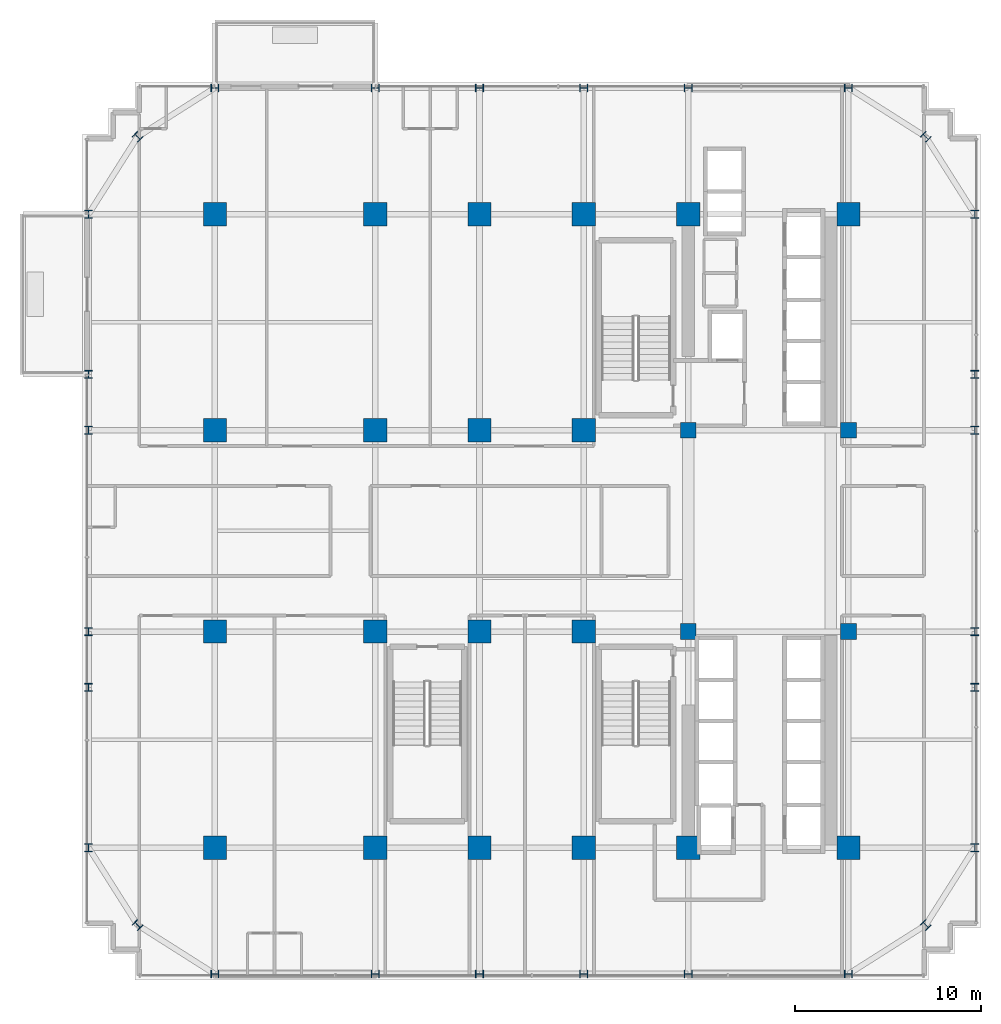
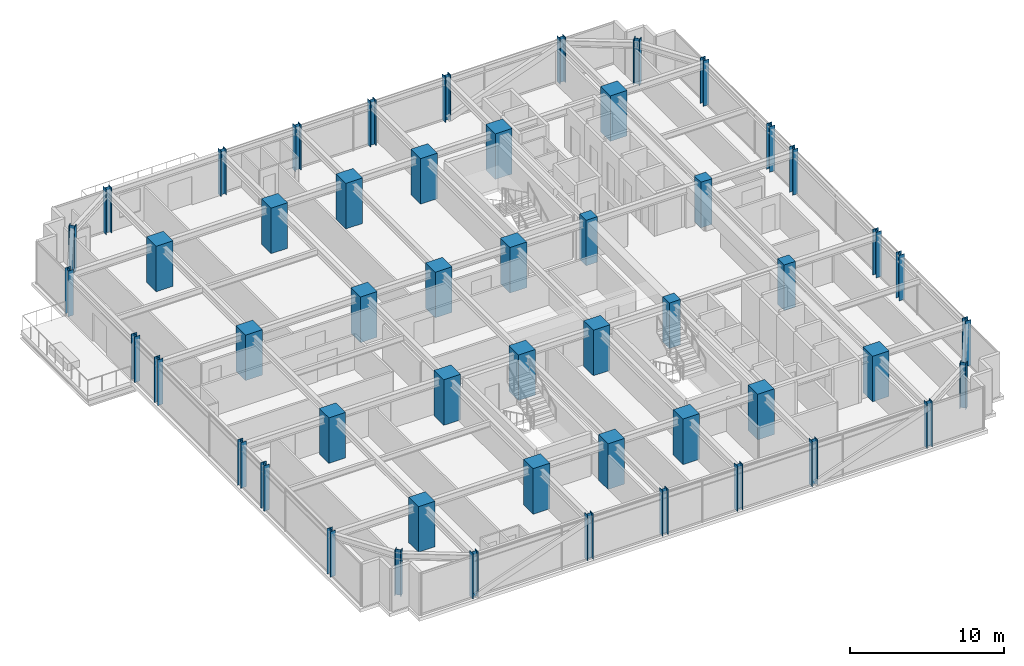
# One storey, part 1 of 35: 52 columns.
"""IFC4 building model written with IfcOpenShell, lengths in metres."""

from ifc_helpers import new_model, si_unit, direction, frame, origin, origin_2d, place, context, subcontext, project, spatial, rectangle, i_section, extrude, source, transform, mapped, material, material_profile, profile_set, type_object, element, save


model = new_model("IFC4")

# Units and contexts
model_context = context("Model", 3, precision=1e-05, world=origin(), true_north=direction((0.0, 1.0)))
body_context = subcontext(model_context, "Body", "Model", "MODEL_VIEW")
ifc_project = project(units=[si_unit("LENGTHUNIT", "METRE"), si_unit("AREAUNIT", "SQUARE_METRE"), si_unit("VOLUMEUNIT", "CUBIC_METRE"), si_unit("PLANEANGLEUNIT", "RADIAN"), si_unit("MASSUNIT", "GRAM", prefix="KILO")], contexts=[model_context])

# Site, building, storey
site_placement = place(None, origin())
site = spatial("IfcSite", under=ifc_project, at=site_placement, CompositionType="ELEMENT")
building_placement = place(site_placement, origin())
building = spatial("IfcBuilding", under=site, at=building_placement, Name="Nahalor Promenade Grand Hotel", CompositionType="ELEMENT")
storey_placement = place(building_placement, frame((0.0, 0.0, 106.550048828125)))
storey = spatial("IfcBuildingStorey", under=building, at=storey_placement, Name="L26", CompositionType="ELEMENT", Elevation=106.550048828125)

# Columns
ifc_material_1 = material(Name="Concrete B-70 (C60/75)", Category="concrete")
ifc_material_profile_1 = material_profile(ifc_material_1, rectangle(XDim=0.85, YDim=0.85, at=origin_2d()), Name="RC 850x850")
ifc_profile_set_1 = profile_set([ifc_material_profile_1], Name="Concrete B-70 (C60/75)")
column_type_1 = type_object("IfcColumnType", Name="Col-Pilaster-850", PredefinedType="PILASTER", material=ifc_profile_set_1)
shared_shape_1 = source(origin(), body_context, "Body", "SweptSolid", [
    extrude(rectangle(XDim=0.85, YDim=0.85, at=origin_2d()), origin(), (0.0, 0.0, 1.0), 3.60498046875),
])
for number, where, z_axis, x_axis, name in (
    (1, (8.39990234375, -5.39990234375, 0.0), (0.0, 0.0, 1.0), (1.0, 0.0, 0.0), "COL-L26-I41"),
    (2, (8.39990234375, 5.39990234375, 0.0), (0.0, 0.0, 1.0), (1.0, 0.0, 0.0), "COL-L26-I42"),
    (3, (17.0, -5.39990234375, 0.0), (0.0, 0.0, 1.0), (1.0, 0.0, 0.0), "COL-L26-I51"),
    (4, (17.0, 5.39990234375, 0.0), (0.0, 0.0, 1.0), (1.0, 0.0, 0.0), "COL-L26-I52"),
):
    element("IfcColumn", number, at=place(storey_placement, frame(where, z_axis=z_axis, x_axis=x_axis)), inside=storey, type_object=column_type_1, Name=name, PredefinedType="PILASTER", context=body_context, shape_type="MappedRepresentation", body=[
        mapped(shared_shape_1, transform((0.0, 0.0, 0.0), scale=1.0)),
    ])
ifc_material_2 = material(Name="Concrete B-60 (C50/60)", Category="concrete")
ifc_material_profile_2 = material_profile(ifc_material_2, rectangle(XDim=1.25, YDim=1.25, at=origin_2d()), Name="RC 1250x1250")
ifc_profile_set_2 = profile_set([ifc_material_profile_2], Name="Concrete B-60 (C50/60)")
column_type_2 = type_object("IfcColumnType", Name="Col-RC-1250", PredefinedType="COLUMN", material=ifc_profile_set_2)
shared_shape_2 = source(origin(), body_context, "Body", "SweptSolid", [
    extrude(rectangle(XDim=1.25, YDim=1.25, at=origin_2d()), origin(), (0.0, 0.0, 1.0), 3.60498046875),
])
for number, where, z_axis, x_axis, name in (
    (5, (-17.0, -17.0, 0.0), (0.0, 0.0, 1.0), (1.0, 0.0, 0.0), "COL-L26-I00"),
    (6, (-17.0, -5.39990234375, 0.0), (0.0, 0.0, 1.0), (1.0, 0.0, 0.0), "COL-L26-I01"),
    (7, (-17.0, 5.39990234375, 0.0), (0.0, 0.0, 1.0), (1.0, 0.0, 0.0), "COL-L26-I02"),
    (8, (-17.0, 17.0, 0.0), (0.0, 0.0, 1.0), (1.0, 0.0, 0.0), "COL-L26-I03"),
    (9, (-8.39990234375, -17.0, 0.0), (0.0, 0.0, 1.0), (1.0, 0.0, 0.0), "COL-L26-I10"),
    (10, (-8.39990234375, -5.39990234375, 0.0), (0.0, 0.0, 1.0), (1.0, 0.0, 0.0), "COL-L26-I11"),
    (11, (-8.39990234375, 5.39990234375, 0.0), (0.0, 0.0, 1.0), (1.0, 0.0, 0.0), "COL-L26-I12"),
    (12, (-8.39990234375, 17.0, 0.0), (0.0, 0.0, 1.0), (1.0, 0.0, 0.0), "COL-L26-I13"),
    (13, (-2.800048828125, -17.0, 0.0), (0.0, 0.0, 1.0), (1.0, 0.0, 0.0), "COL-L26-I20"),
    (14, (-2.800048828125, -5.39990234375, 0.0), (0.0, 0.0, 1.0), (1.0, 0.0, 0.0), "COL-L26-I21"),
    (15, (-2.800048828125, 5.39990234375, 0.0), (0.0, 0.0, 1.0), (1.0, 0.0, 0.0), "COL-L26-I22"),
    (16, (-2.800048828125, 17.0, 0.0), (0.0, 0.0, 1.0), (1.0, 0.0, 0.0), "COL-L26-I23"),
    (17, (2.800048828125, -17.0, 0.0), (0.0, 0.0, 1.0), (1.0, 0.0, 0.0), "COL-L26-I30"),
    (18, (2.800048828125, -5.39990234375, 0.0), (0.0, 0.0, 1.0), (1.0, 0.0, 0.0), "COL-L26-I31"),
    (19, (2.800048828125, 5.39990234375, 0.0), (0.0, 0.0, 1.0), (1.0, 0.0, 0.0), "COL-L26-I32"),
    (20, (2.800048828125, 17.0, 0.0), (0.0, 0.0, 1.0), (1.0, 0.0, 0.0), "COL-L26-I33"),
    (21, (8.39990234375, -17.0, 0.0), (0.0, 0.0, 1.0), (1.0, 0.0, 0.0), "COL-L26-I40"),
    (22, (8.39990234375, 17.0, 0.0), (0.0, 0.0, 1.0), (1.0, 0.0, 0.0), "COL-L26-I43"),
    (23, (17.0, -17.0, 0.0), (0.0, 0.0, 1.0), (1.0, 0.0, 0.0), "COL-L26-I50"),
    (24, (17.0, 17.0, 0.0), (0.0, 0.0, 1.0), (1.0, 0.0, 0.0), "COL-L26-I53"),
):
    element("IfcColumn", number, at=place(storey_placement, frame(where, z_axis=z_axis, x_axis=x_axis)), inside=storey, type_object=column_type_2, Name=name, PredefinedType="COLUMN", context=body_context, shape_type="MappedRepresentation", body=[
        mapped(shared_shape_2, transform((0.0, 0.0, 0.0), scale=1.0)),
    ])
ifc_material_3 = material(Name="Steel S355J2", Category="steel")
ifc_material_profile_3 = material_profile(ifc_material_3, i_section(OverallWidth=0.409, OverallDepth=0.43, WebThickness=0.0208, FlangeThickness=0.0335, at=origin_2d()), Name="HD 400x421")
ifc_profile_set_3 = profile_set([ifc_material_profile_3], Name="Steel S355J2")
column_type_3 = type_object("IfcColumnType", Name="Col-Steel-HD421", PredefinedType="COLUMN", material=ifc_profile_set_3)
shared_shape_3 = source(origin(), body_context, "Body", "SweptSolid", [
    extrude(i_section(OverallWidth=0.409, OverallDepth=0.43, WebThickness=0.0208, FlangeThickness=0.0335, at=origin_2d()), origin(), (0.0, 0.0, 1.0), 3.60498046875),
])
for number, where, z_axis, x_axis, name in (
    (25, (-23.780029296875, -17.0, 0.0), (0.0, 0.0, 1.0), (1.0, 0.0, 0.0), "COL-L26-PW-W0"),
    (26, (23.780029296875, -17.0, 0.0), (0.0, 0.0, 1.0), (1.0, 0.0, 0.0), "COL-L26-PW-E0"),
    (27, (-23.780029296875, -8.39990234375, 0.0), (0.0, 0.0, 1.0), (1.0, 0.0, 0.0), "COL-L26-PW-W1"),
    (28, (23.780029296875, -8.39990234375, 0.0), (0.0, 0.0, 1.0), (1.0, 0.0, 0.0), "COL-L26-PW-E1"),
    (29, (-23.780029296875, -5.39990234375, 0.0), (0.0, 0.0, 1.0), (1.0, 0.0, 0.0), "COL-L26-PW-W2"),
    (30, (23.780029296875, -5.39990234375, 0.0), (0.0, 0.0, 1.0), (1.0, 0.0, 0.0), "COL-L26-PW-E2"),
    (31, (-23.780029296875, 5.39990234375, 0.0), (0.0, 0.0, 1.0), (1.0, 0.0, 0.0), "COL-L26-PW-W3"),
    (32, (23.780029296875, 5.39990234375, 0.0), (0.0, 0.0, 1.0), (1.0, 0.0, 0.0), "COL-L26-PW-E3"),
    (33, (-23.780029296875, 8.39990234375, 0.0), (0.0, 0.0, 1.0), (1.0, 0.0, 0.0), "COL-L26-PW-W4"),
    (34, (23.780029296875, 8.39990234375, 0.0), (0.0, 0.0, 1.0), (1.0, 0.0, 0.0), "COL-L26-PW-E4"),
    (35, (-23.780029296875, 17.0, 0.0), (0.0, 0.0, 1.0), (1.0, 0.0, 0.0), "COL-L26-PW-W5"),
    (36, (23.780029296875, 17.0, 0.0), (0.0, 0.0, 1.0), (1.0, 0.0, 0.0), "COL-L26-PW-E5"),
    (37, (-17.0, -23.780029296875, 0.0), (0.0, 0.0, 1.0), (0.0, 1.0, 0.0), "COL-L26-PN-S0"),
    (38, (-17.0, 23.780029296875, 0.0), (0.0, 0.0, 1.0), (0.0, 1.0, 0.0), "COL-L26-PN-N0"),
    (39, (-8.39990234375, -23.780029296875, 0.0), (0.0, 0.0, 1.0), (0.0, 1.0, 0.0), "COL-L26-PN-S1"),
    (40, (-8.39990234375, 23.780029296875, 0.0), (0.0, 0.0, 1.0), (0.0, 1.0, 0.0), "COL-L26-PN-N1"),
    (41, (-2.800048828125, -23.780029296875, 0.0), (0.0, 0.0, 1.0), (0.0, 1.0, 0.0), "COL-L26-PN-S2"),
    (42, (-2.800048828125, 23.780029296875, 0.0), (0.0, 0.0, 1.0), (0.0, 1.0, 0.0), "COL-L26-PN-N2"),
    (43, (2.800048828125, -23.780029296875, 0.0), (0.0, 0.0, 1.0), (0.0, 1.0, 0.0), "COL-L26-PN-S3"),
    (44, (2.800048828125, 23.780029296875, 0.0), (0.0, 0.0, 1.0), (0.0, 1.0, 0.0), "COL-L26-PN-N3"),
    (45, (8.39990234375, -23.780029296875, 0.0), (0.0, 0.0, 1.0), (0.0, 1.0, 0.0), "COL-L26-PN-S4"),
    (46, (8.39990234375, 23.780029296875, 0.0), (0.0, 0.0, 1.0), (0.0, 1.0, 0.0), "COL-L26-PN-N4"),
    (47, (17.0, -23.780029296875, 0.0), (0.0, 0.0, 1.0), (0.0, 1.0, 0.0), "COL-L26-PN-S5"),
    (48, (17.0, 23.780029296875, 0.0), (0.0, 0.0, 1.0), (0.0, 1.0, 0.0), "COL-L26-PN-N5"),
    (49, (-21.14990234375, -21.14990234375, 0.0), (0.0, 0.0, 1.0), (0.707106781187, 0.707106781187, 0.0), "COL-L26-CRN-SW"),
    (50, (-21.14990234375, 21.14990234375, 0.0), (0.0, 0.0, 1.0), (0.707106781187, 0.707106781187, 0.0), "COL-L26-CRN-NW"),
    (51, (21.14990234375, -21.14990234375, 0.0), (0.0, 0.0, 1.0), (0.707106781187, 0.707106781187, 0.0), "COL-L26-CRN-SE"),
    (52, (21.14990234375, 21.14990234375, 0.0), (0.0, 0.0, 1.0), (0.707106781187, 0.707106781187, 0.0), "COL-L26-CRN-NE"),
):
    element("IfcColumn", number, at=place(storey_placement, frame(where, z_axis=z_axis, x_axis=x_axis)), inside=storey, type_object=column_type_3, Name=name, PredefinedType="COLUMN", context=body_context, shape_type="MappedRepresentation", body=[
        mapped(shared_shape_3, transform((0.0, 0.0, 0.0), scale=1.0)),
    ])

save(model, "model.ifc")
